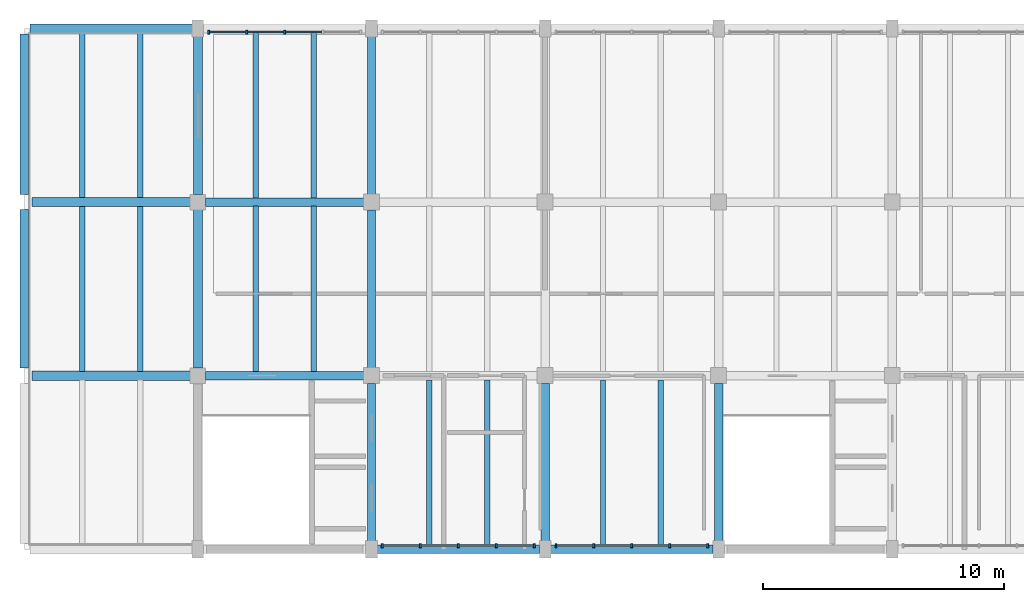
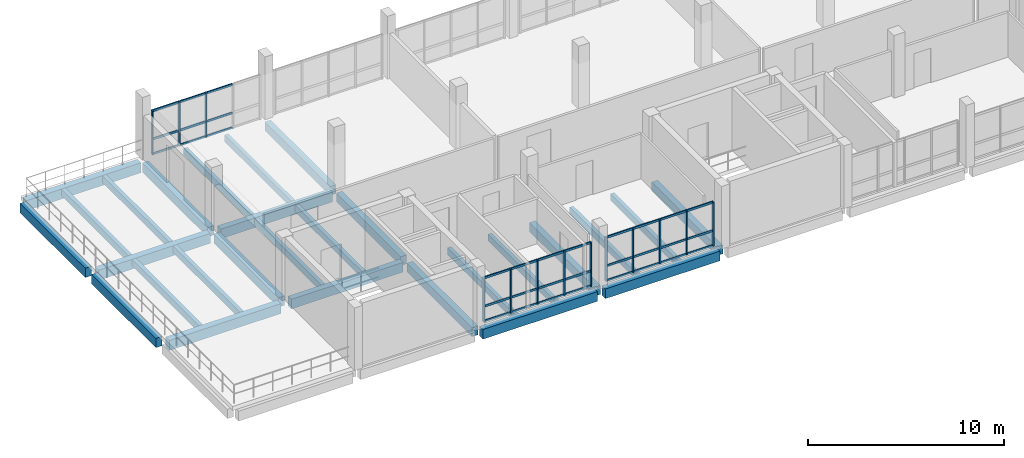
# One storey, part 2 of 10: 46 members, 28 beams, 3 elements without a shape of their own.
"""IFC4 building model written with IfcOpenShell, lengths in metres."""

from ifc_helpers import new_model, si_unit, direction, frame, origin, origin_2d, place, context, subcontext, project, spatial, rectangle, extrude, material, material_profile, profile_set, type_object, element, aggregate, save


model = new_model("IFC4")

# Units and contexts
model_context = context("Model", 3, precision=1e-05, world=origin(), true_north=direction((0.0, 1.0)))
body_context = subcontext(model_context, "Body", "Model", "MODEL_VIEW")
ifc_project = project(units=[si_unit("LENGTHUNIT", "METRE"), si_unit("AREAUNIT", "SQUARE_METRE"), si_unit("VOLUMEUNIT", "CUBIC_METRE"), si_unit("PLANEANGLEUNIT", "RADIAN"), si_unit("MASSUNIT", "GRAM", prefix="KILO")], contexts=[model_context])

# Site, building, storey
site_placement = place(None, origin())
site = spatial("IfcSite", under=ifc_project, at=site_placement, CompositionType="ELEMENT")
building_placement = place(site_placement, origin())
building = spatial("IfcBuilding", under=site, at=building_placement, Name="Qiaolan Assembly House", CompositionType="ELEMENT")
storey_placement = place(building_placement, frame((0.0, 0.0, 30.300048828125)))
storey = spatial("IfcBuildingStorey", under=building, at=storey_placement, Name="L07", CompositionType="ELEMENT", Elevation=30.300048828125)

# Beams
ifc_material_1 = material(Name="Concrete C40/50", Category="concrete")
ifc_material_profile_1 = material_profile(ifc_material_1, rectangle(XDim=0.35009765625, YDim=0.550048828125, at=origin_2d()), Name="RCB 350x550")
ifc_profile_set_1 = profile_set([ifc_material_profile_1], Name="Concrete C40/50")
beam_type_1 = type_object("IfcBeamType", Name="BM-RC-350x550", PredefinedType="BEAM", material=ifc_profile_set_1)
beam_1_placement = place(storey_placement, frame((50.39990234375, 93.830078125, -0.505126953125), z_axis=(0.0, 1.0, 0.0), x_axis=(-1.0, 0.0, 0.0)))
element("IfcBeam", 1, at=beam_1_placement, inside=storey, type_object=beam_type_1, Name="GB-09 beam BMY-NW-L07-01-00", PredefinedType="BEAM", context=body_context, shape_type="SweptSolid", body=[
    extrude(rectangle(XDim=0.35009765625, YDim=0.550048828125, at=origin_2d()), origin(), (0.0, 0.0, 1.0), 6.64990234375),
])
beam_2_placement = place(storey_placement, frame((50.39990234375, 101.1201171875, -0.505126953125), z_axis=(0.0, 1.0, 0.0), x_axis=(-1.0, 0.0, 0.0)))
element("IfcBeam", 2, at=beam_2_placement, inside=storey, type_object=beam_type_1, Name="GB-09 beam BMY-NW-L07-01-01", PredefinedType="BEAM", context=body_context, shape_type="SweptSolid", body=[
    extrude(rectangle(XDim=0.35009765625, YDim=0.550048828125, at=origin_2d()), origin(), (0.0, 0.0, 1.0), 6.559814453125),
])
for number, where, z_axis, x_axis, name in (
    (3, (50.39990234375, 108.320068359375, -0.505126953125), (0.0, 1.0, 0.0), (-1.0, 0.0, 0.0), "GB-09 beam BMY-NW-L07-01-02"),
    (4, (57.60009765625, 93.830078125, -0.505126953125), (0.0, 1.0, 0.0), (-1.0, 0.0, 0.0), "GB-09 beam BMY-NW-L07-02-00"),
    (5, (64.800048828125, 93.830078125, -0.505126953125), (0.0, 1.0, 0.0), (-1.0, 0.0, 0.0), "GB-09 beam BMY-NW-L07-03-00"),
):
    element("IfcBeam", number, at=place(storey_placement, frame(where, z_axis=z_axis, x_axis=x_axis)), inside=storey, type_object=beam_type_1, Name=name, PredefinedType="BEAM", context=body_context, shape_type="SweptSolid", body=[
        extrude(rectangle(XDim=0.35009765625, YDim=0.550048828125, at=origin_2d()), origin(), (0.0, 0.0, 1.0), 6.64990234375),
    ])
ifc_material_profile_2 = material_profile(ifc_material_1, rectangle(XDim=0.35009765625, YDim=0.60009765625, at=origin_2d()), Name="RCB 350x600")
ifc_profile_set_2 = profile_set([ifc_material_profile_2], Name="Concrete C40/50")
beam_type_2 = type_object("IfcBeamType", Name="BM-RC-350x600", PredefinedType="BEAM", material=ifc_profile_set_2)
beam_3_placement = place(storey_placement, frame((50.6298828125, 93.60009765625, -0.530029296875), z_axis=(1.0, 0.0, 0.0), x_axis=(0.0, 1.0, 0.0)))
element("IfcBeam", 6, at=beam_3_placement, inside=storey, type_object=beam_type_2, Name="GB-08 beam BMX-NW-L07-01-00", PredefinedType="BEAM", context=body_context, shape_type="SweptSolid", body=[
    extrude(rectangle(XDim=0.35009765625, YDim=0.60009765625, at=origin_2d()), origin(), (0.0, 0.0, 1.0), 6.740234375),
])
beam_4_placement = place(storey_placement, frame((57.830078125, 93.60009765625, -0.530029296875), z_axis=(1.0, 0.0, 0.0), x_axis=(0.0, 1.0, 0.0)))
element("IfcBeam", 7, at=beam_4_placement, inside=storey, type_object=beam_type_2, Name="GB-08 beam BMX-NW-L07-02-00", PredefinedType="BEAM", context=body_context, shape_type="SweptSolid", body=[
    extrude(rectangle(XDim=0.35009765625, YDim=0.60009765625, at=origin_2d()), origin(), (0.0, 0.0, 1.0), 6.739990234375),
])
for number, where, z_axis, x_axis, name in (
    (8, (43.514892578125, 100.800048828125, -0.530029296875), (1.0, 0.0, 0.0), (0.0, 1.0, 0.0), "GB-08 beam BMX-NW-L07-00-01"),
    (9, (43.514892578125, 108.0, -0.530029296875), (1.0, 0.0, 0.0), (0.0, 1.0, 0.0), "GB-08 beam BMX-NW-L07-00-02"),
):
    element("IfcBeam", number, at=place(storey_placement, frame(where, z_axis=z_axis, x_axis=x_axis)), inside=storey, type_object=beam_type_2, Name=name, PredefinedType="BEAM", context=body_context, shape_type="SweptSolid", body=[
        extrude(rectangle(XDim=0.35009765625, YDim=0.60009765625, at=origin_2d()), origin(), (0.0, 0.0, 1.0), 6.565185546875),
    ])
ifc_material_profile_3 = material_profile(ifc_material_1, rectangle(XDim=0.360107421875, YDim=0.580078125, at=origin_2d()), Name="RCB 360x580")
ifc_profile_set_3 = profile_set([ifc_material_profile_3], Name="Concrete C40/50")
beam_type_3 = type_object("IfcBeamType", Name="BM-RC-360x580", PredefinedType="BEAM", material=ifc_profile_set_3)
beam_5_placement = place(storey_placement, frame((36.0, 101.114990234375, -0.550048828125), z_axis=(0.0, 1.0, 0.0), x_axis=(-1.0, 0.0, 0.0)))
element("IfcBeam", 10, at=beam_5_placement, inside=storey, type_object=beam_type_3, Name="GB-16 beam BMY-NWTW-L07-00-01", PredefinedType="BEAM", context=body_context, shape_type="SweptSolid", body=[
    extrude(rectangle(XDim=0.360107421875, YDim=0.580078125, at=origin_2d()), origin(), (0.0, 0.0, 1.0), 6.570068359375),
])
beam_6_placement = place(storey_placement, frame((36.0, 108.31494140625, -0.550048828125), z_axis=(0.0, 1.0, 0.0), x_axis=(-1.0, 0.0, 0.0)))
element("IfcBeam", 11, at=beam_6_placement, inside=storey, type_object=beam_type_3, Name="GB-16 beam BMY-NWTW-L07-00-02", PredefinedType="BEAM", context=body_context, shape_type="SweptSolid", body=[
    extrude(rectangle(XDim=0.360107421875, YDim=0.580078125, at=origin_2d()), origin(), (0.0, 0.0, 1.0), 6.655029296875),
])
beam_7_placement = place(storey_placement, frame((43.199951171875, 101.114990234375, -0.550048828125), z_axis=(0.0, 1.0, 0.0), x_axis=(-1.0, 0.0, 0.0)))
element("IfcBeam", 12, at=beam_7_placement, inside=storey, type_object=beam_type_3, Name="GB-16 beam BMY-NWTW-L07-01-01", PredefinedType="BEAM", context=body_context, shape_type="SweptSolid", body=[
    extrude(rectangle(XDim=0.360107421875, YDim=0.580078125, at=origin_2d()), origin(), (0.0, 0.0, 1.0), 6.570068359375),
])
beam_8_placement = place(storey_placement, frame((43.199951171875, 108.31494140625, -0.550048828125), z_axis=(0.0, 1.0, 0.0), x_axis=(-1.0, 0.0, 0.0)))
element("IfcBeam", 13, at=beam_8_placement, inside=storey, type_object=beam_type_3, Name="GB-16 beam BMY-NWTW-L07-01-02", PredefinedType="BEAM", context=body_context, shape_type="SweptSolid", body=[
    extrude(rectangle(XDim=0.360107421875, YDim=0.580078125, at=origin_2d()), origin(), (0.0, 0.0, 1.0), 6.655029296875),
])
ifc_material_profile_4 = material_profile(ifc_material_1, rectangle(XDim=0.3798828125, YDim=0.6201171875, at=origin_2d()), Name="RCB 380x620")
ifc_profile_set_4 = profile_set([ifc_material_profile_4], Name="Concrete C40/50")
beam_type_4 = type_object("IfcBeamType", Name="BM-RC-380x620", PredefinedType="BEAM", material=ifc_profile_set_4)
for number, where, z_axis, x_axis, name in (
    (14, (36.31494140625, 100.800048828125, -0.570068359375), (1.0, 0.0, 0.0), (0.0, 1.0, 0.0), "GB-13 beam BMX-NWTW-L07-00-01"),
    (15, (36.31494140625, 108.0, -0.570068359375), (1.0, 0.0, 0.0), (0.0, 1.0, 0.0), "GB-13 beam BMX-NWTW-L07-00-02"),
):
    element("IfcBeam", number, at=place(storey_placement, frame(where, z_axis=z_axis, x_axis=x_axis)), inside=storey, type_object=beam_type_4, Name=name, PredefinedType="BEAM", context=body_context, shape_type="SweptSolid", body=[
        extrude(rectangle(XDim=0.3798828125, YDim=0.6201171875, at=origin_2d()), origin(), (0.0, 0.0, 1.0), 6.570068359375),
    ])
beam_9_placement = place(storey_placement, frame((36.22998046875, 115.199951171875, -0.570068359375), z_axis=(1.0, 0.0, 0.0), x_axis=(0.0, 1.0, 0.0)))
element("IfcBeam", 16, at=beam_9_placement, inside=storey, type_object=beam_type_4, Name="GB-13 beam BMX-NWTW-L07-00-03", PredefinedType="BEAM", context=body_context, shape_type="SweptSolid", body=[
    extrude(rectangle(XDim=0.3798828125, YDim=0.6201171875, at=origin_2d()), origin(), (0.0, 0.0, 1.0), 6.739990234375),
])

# Curtain wall, members
ifc_material_2 = material(Name="Anodised bronze aluminium", Category="aluminium")
curtain_wall_type = type_object("IfcCurtainWallType", Name="CW-ATTIC-390", PredefinedType="NOTDEFINED", material=ifc_material_2)
curtain_wall_1_placement = place(storey_placement, origin())
curtain_wall_1 = element("IfcCurtainWall", 17, at=curtain_wall_1_placement, inside=storey, type_object=curtain_wall_type, Name="CW-04 NW Attic North glazed colonnade bay 1", PredefinedType="NOTDEFINED")
ifc_material_profile_5 = material_profile(ifc_material_2, rectangle(XDim=0.073974609375, YDim=0.1650390625, at=origin_2d()), Name="MUL 74x165")
ifc_profile_set_5 = profile_set([ifc_material_profile_5], Name="Anodised bronze aluminium")
member_type_1 = type_object("IfcMemberType", Name="CW-ATTIC-390-MUL", PredefinedType="MULLION", material=ifc_profile_set_5)
member_1_placement = place(storey_placement, frame((46.800048828125, 115.050048828125, 0.0), z_axis=(0.0, 0.0, 1.0), x_axis=(-1.0, 0.0, 0.0)))
member_1 = element("IfcMember", 18, at=member_1_placement, type_object=member_type_1, Name="ML-05 mullion CW-NW-ATTIC-N-00-3", PredefinedType="MULLION", context=body_context, shape_type="SweptSolid", body=[
    extrude(rectangle(XDim=0.073974609375, YDim=0.1650390625, at=origin_2d()), origin(), (0.0, 0.0, 1.0), 2.739990234375),
])
member_2_placement = place(storey_placement, frame((45.22509765625, 115.050048828125, 0.0), z_axis=(0.0, 0.0, 1.0), x_axis=(-1.0, 0.0, 0.0)))
member_2 = element("IfcMember", 19, at=member_2_placement, type_object=member_type_1, Name="ML-05 mullion CW-NW-ATTIC-N-00-4", PredefinedType="MULLION", context=body_context, shape_type="SweptSolid", body=[
    extrude(rectangle(XDim=0.073974609375, YDim=0.1650390625, at=origin_2d()), origin(), (0.0, 0.0, 1.0), 2.739990234375),
])
member_3_placement = place(storey_placement, frame((43.64990234375, 115.050048828125, 0.0), z_axis=(0.0, 0.0, 1.0), x_axis=(-1.0, 0.0, 0.0)))
member_3 = element("IfcMember", 20, at=member_3_placement, type_object=member_type_1, Name="ML-05 mullion CW-NW-ATTIC-N-00-5", PredefinedType="MULLION", context=body_context, shape_type="SweptSolid", body=[
    extrude(rectangle(XDim=0.073974609375, YDim=0.1650390625, at=origin_2d()), origin(), (0.0, 0.0, 1.0), 2.739990234375),
])

curtain_wall_2_placement = place(storey_placement, origin())
curtain_wall_2 = element("IfcCurtainWall", 21, at=curtain_wall_2_placement, inside=storey, type_object=curtain_wall_type, Name="CW-04 NW Attic South glazed colonnade bay 2", PredefinedType="NOTDEFINED")
member_4_placement = place(storey_placement, frame((50.85009765625, 93.75, 0.0), z_axis=(0.0, 0.0, 1.0), x_axis=(1.0, 0.0, 0.0)))
member_4 = element("IfcMember", 22, at=member_4_placement, type_object=member_type_1, Name="ML-05 mullion CW-NW-ATTIC-S-01-1", PredefinedType="MULLION", context=body_context, shape_type="SweptSolid", body=[
    extrude(rectangle(XDim=0.073974609375, YDim=0.1650390625, at=origin_2d()), origin(), (0.0, 0.0, 1.0), 2.739990234375),
])
member_5_placement = place(storey_placement, frame((52.425048828125, 93.75, 0.0), z_axis=(0.0, 0.0, 1.0), x_axis=(1.0, 0.0, 0.0)))
member_5 = element("IfcMember", 23, at=member_5_placement, type_object=member_type_1, Name="ML-05 mullion CW-NW-ATTIC-S-01-2", PredefinedType="MULLION", context=body_context, shape_type="SweptSolid", body=[
    extrude(rectangle(XDim=0.073974609375, YDim=0.1650390625, at=origin_2d()), origin(), (0.0, 0.0, 1.0), 2.739990234375),
])
member_6_placement = place(storey_placement, frame((54.0, 93.75, 0.0), z_axis=(0.0, 0.0, 1.0), x_axis=(1.0, 0.0, 0.0)))
member_6 = element("IfcMember", 24, at=member_6_placement, type_object=member_type_1, Name="ML-05 mullion CW-NW-ATTIC-S-01-3", PredefinedType="MULLION", context=body_context, shape_type="SweptSolid", body=[
    extrude(rectangle(XDim=0.073974609375, YDim=0.1650390625, at=origin_2d()), origin(), (0.0, 0.0, 1.0), 2.739990234375),
])
member_7_placement = place(storey_placement, frame((55.574951171875, 93.75, 0.0), z_axis=(0.0, 0.0, 1.0), x_axis=(1.0, 0.0, 0.0)))
member_7 = element("IfcMember", 25, at=member_7_placement, type_object=member_type_1, Name="ML-05 mullion CW-NW-ATTIC-S-01-4", PredefinedType="MULLION", context=body_context, shape_type="SweptSolid", body=[
    extrude(rectangle(XDim=0.073974609375, YDim=0.1650390625, at=origin_2d()), origin(), (0.0, 0.0, 1.0), 2.739990234375),
])
member_8_placement = place(storey_placement, frame((57.14990234375, 93.75, 0.0), z_axis=(0.0, 0.0, 1.0), x_axis=(1.0, 0.0, 0.0)))
member_8 = element("IfcMember", 26, at=member_8_placement, type_object=member_type_1, Name="ML-05 mullion CW-NW-ATTIC-S-01-5", PredefinedType="MULLION", context=body_context, shape_type="SweptSolid", body=[
    extrude(rectangle(XDim=0.073974609375, YDim=0.1650390625, at=origin_2d()), origin(), (0.0, 0.0, 1.0), 2.739990234375),
])

curtain_wall_3_placement = place(storey_placement, origin())
curtain_wall_3 = element("IfcCurtainWall", 27, at=curtain_wall_3_placement, inside=storey, type_object=curtain_wall_type, Name="CW-04 NW Attic South glazed colonnade bay 3", PredefinedType="NOTDEFINED")
member_9_placement = place(storey_placement, frame((58.050048828125, 93.75, 0.0), z_axis=(0.0, 0.0, 1.0), x_axis=(1.0, 0.0, 0.0)))
member_9 = element("IfcMember", 28, at=member_9_placement, type_object=member_type_1, Name="ML-05 mullion CW-NW-ATTIC-S-02-1", PredefinedType="MULLION", context=body_context, shape_type="SweptSolid", body=[
    extrude(rectangle(XDim=0.073974609375, YDim=0.1650390625, at=origin_2d()), origin(), (0.0, 0.0, 1.0), 2.739990234375),
])
member_10_placement = place(storey_placement, frame((59.625, 93.75, 0.0), z_axis=(0.0, 0.0, 1.0), x_axis=(1.0, 0.0, 0.0)))
member_10 = element("IfcMember", 29, at=member_10_placement, type_object=member_type_1, Name="ML-05 mullion CW-NW-ATTIC-S-02-2", PredefinedType="MULLION", context=body_context, shape_type="SweptSolid", body=[
    extrude(rectangle(XDim=0.073974609375, YDim=0.1650390625, at=origin_2d()), origin(), (0.0, 0.0, 1.0), 2.739990234375),
])
member_11_placement = place(storey_placement, frame((61.199951171875, 93.75, 0.0), z_axis=(0.0, 0.0, 1.0), x_axis=(1.0, 0.0, 0.0)))
member_11 = element("IfcMember", 30, at=member_11_placement, type_object=member_type_1, Name="ML-05 mullion CW-NW-ATTIC-S-02-3", PredefinedType="MULLION", context=body_context, shape_type="SweptSolid", body=[
    extrude(rectangle(XDim=0.073974609375, YDim=0.1650390625, at=origin_2d()), origin(), (0.0, 0.0, 1.0), 2.739990234375),
])
member_12_placement = place(storey_placement, frame((62.77490234375, 93.75, 0.0), z_axis=(0.0, 0.0, 1.0), x_axis=(1.0, 0.0, 0.0)))
member_12 = element("IfcMember", 31, at=member_12_placement, type_object=member_type_1, Name="ML-05 mullion CW-NW-ATTIC-S-02-4", PredefinedType="MULLION", context=body_context, shape_type="SweptSolid", body=[
    extrude(rectangle(XDim=0.073974609375, YDim=0.1650390625, at=origin_2d()), origin(), (0.0, 0.0, 1.0), 2.739990234375),
])
member_13_placement = place(storey_placement, frame((64.35009765625, 93.75, 0.0), z_axis=(0.0, 0.0, 1.0), x_axis=(1.0, 0.0, 0.0)))
member_13 = element("IfcMember", 32, at=member_13_placement, type_object=member_type_1, Name="ML-05 mullion CW-NW-ATTIC-S-02-5", PredefinedType="MULLION", context=body_context, shape_type="SweptSolid", body=[
    extrude(rectangle(XDim=0.073974609375, YDim=0.1650390625, at=origin_2d()), origin(), (0.0, 0.0, 1.0), 2.739990234375),
])

# Member
ifc_material_profile_6 = material_profile(ifc_material_2, rectangle(XDim=0.06494140625, YDim=0.1298828125, at=origin_2d()), Name="TRN 65x130")
ifc_profile_set_6 = profile_set([ifc_material_profile_6], Name="Anodised bronze aluminium")
member_type_2 = type_object("IfcMemberType", Name="CW-ATTIC-390-TRN", PredefinedType="USERDEFINED", material=ifc_profile_set_6)
member_14_placement = place(storey_placement, frame((48.337890625, 115.050048828125, 0.030029296875), z_axis=(-1.0, 0.0, 0.0), x_axis=(0.0, -1.0, 0.0)))
member_14 = element("IfcMember", 33, at=member_14_placement, type_object=member_type_2, Name="TR-05 transom CW-NW-ATTIC-N-00-2-1", ObjectType="TRANSOM", PredefinedType="USERDEFINED", context=body_context, shape_type="SweptSolid", body=[
    extrude(rectangle(XDim=0.06494140625, YDim=0.1298828125, at=origin_2d()), origin(), (0.0, 0.0, 1.0), 1.5009765625),
])

member_15_placement = place(storey_placement, frame((48.337890625, 115.050048828125, 0.949951171875), z_axis=(-1.0, 0.0, 0.0), x_axis=(0.0, -1.0, 0.0)))
member_15 = element("IfcMember", 34, at=member_15_placement, type_object=member_type_2, Name="TR-05 transom CW-NW-ATTIC-N-00-2-2", ObjectType="TRANSOM", PredefinedType="USERDEFINED", context=body_context, shape_type="SweptSolid", body=[
    extrude(rectangle(XDim=0.06494140625, YDim=0.1298828125, at=origin_2d()), origin(), (0.0, 0.0, 1.0), 1.5009765625),
])

member_16_placement = place(storey_placement, frame((48.337890625, 115.050048828125, 2.7099609375), z_axis=(-1.0, 0.0, 0.0), x_axis=(0.0, -1.0, 0.0)))
member_16 = element("IfcMember", 35, at=member_16_placement, type_object=member_type_2, Name="TR-05 transom CW-NW-ATTIC-N-00-2-3", ObjectType="TRANSOM", PredefinedType="USERDEFINED", context=body_context, shape_type="SweptSolid", body=[
    extrude(rectangle(XDim=0.06494140625, YDim=0.1298828125, at=origin_2d()), origin(), (0.0, 0.0, 1.0), 1.5009765625),
])

member_17_placement = place(storey_placement, frame((46.762939453125, 115.050048828125, 0.030029296875), z_axis=(-1.0, 0.0, 0.0), x_axis=(0.0, -1.0, 0.0)))
member_17 = element("IfcMember", 36, at=member_17_placement, type_object=member_type_2, Name="TR-05 transom CW-NW-ATTIC-N-00-3-1", ObjectType="TRANSOM", PredefinedType="USERDEFINED", context=body_context, shape_type="SweptSolid", body=[
    extrude(rectangle(XDim=0.06494140625, YDim=0.1298828125, at=origin_2d()), origin(), (0.0, 0.0, 1.0), 1.5009765625),
])

member_18_placement = place(storey_placement, frame((46.762939453125, 115.050048828125, 0.949951171875), z_axis=(-1.0, 0.0, 0.0), x_axis=(0.0, -1.0, 0.0)))
member_18 = element("IfcMember", 37, at=member_18_placement, type_object=member_type_2, Name="TR-05 transom CW-NW-ATTIC-N-00-3-2", ObjectType="TRANSOM", PredefinedType="USERDEFINED", context=body_context, shape_type="SweptSolid", body=[
    extrude(rectangle(XDim=0.06494140625, YDim=0.1298828125, at=origin_2d()), origin(), (0.0, 0.0, 1.0), 1.5009765625),
])

member_19_placement = place(storey_placement, frame((46.762939453125, 115.050048828125, 2.7099609375), z_axis=(-1.0, 0.0, 0.0), x_axis=(0.0, -1.0, 0.0)))
member_19 = element("IfcMember", 38, at=member_19_placement, type_object=member_type_2, Name="TR-05 transom CW-NW-ATTIC-N-00-3-3", ObjectType="TRANSOM", PredefinedType="USERDEFINED", context=body_context, shape_type="SweptSolid", body=[
    extrude(rectangle(XDim=0.06494140625, YDim=0.1298828125, at=origin_2d()), origin(), (0.0, 0.0, 1.0), 1.5009765625),
])

member_20_placement = place(storey_placement, frame((45.18798828125, 115.050048828125, 0.030029296875), z_axis=(-1.0, 0.0, 0.0), x_axis=(0.0, -1.0, 0.0)))
member_20 = element("IfcMember", 39, at=member_20_placement, type_object=member_type_2, Name="TR-05 transom CW-NW-ATTIC-N-00-4-1", ObjectType="TRANSOM", PredefinedType="USERDEFINED", context=body_context, shape_type="SweptSolid", body=[
    extrude(rectangle(XDim=0.06494140625, YDim=0.1298828125, at=origin_2d()), origin(), (0.0, 0.0, 1.0), 1.5009765625),
])

member_21_placement = place(storey_placement, frame((45.18798828125, 115.050048828125, 0.949951171875), z_axis=(-1.0, 0.0, 0.0), x_axis=(0.0, -1.0, 0.0)))
member_21 = element("IfcMember", 40, at=member_21_placement, type_object=member_type_2, Name="TR-05 transom CW-NW-ATTIC-N-00-4-2", ObjectType="TRANSOM", PredefinedType="USERDEFINED", context=body_context, shape_type="SweptSolid", body=[
    extrude(rectangle(XDim=0.06494140625, YDim=0.1298828125, at=origin_2d()), origin(), (0.0, 0.0, 1.0), 1.5009765625),
])

member_22_placement = place(storey_placement, frame((45.18798828125, 115.050048828125, 2.7099609375), z_axis=(-1.0, 0.0, 0.0), x_axis=(0.0, -1.0, 0.0)))
member_22 = element("IfcMember", 41, at=member_22_placement, type_object=member_type_2, Name="TR-05 transom CW-NW-ATTIC-N-00-4-3", ObjectType="TRANSOM", PredefinedType="USERDEFINED", context=body_context, shape_type="SweptSolid", body=[
    extrude(rectangle(XDim=0.06494140625, YDim=0.1298828125, at=origin_2d()), origin(), (0.0, 0.0, 1.0), 1.5009765625),
])

aggregate(curtain_wall_1, [member_1, member_2, member_3, member_14, member_15, member_16, member_17, member_18, member_19, member_20, member_21, member_22])

member_23_placement = place(storey_placement, frame((50.886962890625, 93.75, 0.030029296875), z_axis=(1.0, 0.0, 0.0), x_axis=(0.0, 1.0, 0.0)))
member_23 = element("IfcMember", 42, at=member_23_placement, type_object=member_type_2, Name="TR-05 transom CW-NW-ATTIC-S-01-1-1", ObjectType="TRANSOM", PredefinedType="USERDEFINED", context=body_context, shape_type="SweptSolid", body=[
    extrude(rectangle(XDim=0.06494140625, YDim=0.1298828125, at=origin_2d()), origin(), (0.0, 0.0, 1.0), 1.5009765625),
])

member_24_placement = place(storey_placement, frame((50.886962890625, 93.75, 0.949951171875), z_axis=(1.0, 0.0, 0.0), x_axis=(0.0, 1.0, 0.0)))
member_24 = element("IfcMember", 43, at=member_24_placement, type_object=member_type_2, Name="TR-05 transom CW-NW-ATTIC-S-01-1-2", ObjectType="TRANSOM", PredefinedType="USERDEFINED", context=body_context, shape_type="SweptSolid", body=[
    extrude(rectangle(XDim=0.06494140625, YDim=0.1298828125, at=origin_2d()), origin(), (0.0, 0.0, 1.0), 1.5009765625),
])

member_25_placement = place(storey_placement, frame((50.886962890625, 93.75, 2.7099609375), z_axis=(1.0, 0.0, 0.0), x_axis=(0.0, 1.0, 0.0)))
member_25 = element("IfcMember", 44, at=member_25_placement, type_object=member_type_2, Name="TR-05 transom CW-NW-ATTIC-S-01-1-3", ObjectType="TRANSOM", PredefinedType="USERDEFINED", context=body_context, shape_type="SweptSolid", body=[
    extrude(rectangle(XDim=0.06494140625, YDim=0.1298828125, at=origin_2d()), origin(), (0.0, 0.0, 1.0), 1.5009765625),
])

member_26_placement = place(storey_placement, frame((52.4619140625, 93.75, 0.030029296875), z_axis=(1.0, 0.0, 0.0), x_axis=(0.0, 1.0, 0.0)))
member_26 = element("IfcMember", 45, at=member_26_placement, type_object=member_type_2, Name="TR-05 transom CW-NW-ATTIC-S-01-2-1", ObjectType="TRANSOM", PredefinedType="USERDEFINED", context=body_context, shape_type="SweptSolid", body=[
    extrude(rectangle(XDim=0.06494140625, YDim=0.1298828125, at=origin_2d()), origin(), (0.0, 0.0, 1.0), 1.5009765625),
])

member_27_placement = place(storey_placement, frame((52.4619140625, 93.75, 0.949951171875), z_axis=(1.0, 0.0, 0.0), x_axis=(0.0, 1.0, 0.0)))
member_27 = element("IfcMember", 46, at=member_27_placement, type_object=member_type_2, Name="TR-05 transom CW-NW-ATTIC-S-01-2-2", ObjectType="TRANSOM", PredefinedType="USERDEFINED", context=body_context, shape_type="SweptSolid", body=[
    extrude(rectangle(XDim=0.06494140625, YDim=0.1298828125, at=origin_2d()), origin(), (0.0, 0.0, 1.0), 1.5009765625),
])

member_28_placement = place(storey_placement, frame((52.4619140625, 93.75, 2.7099609375), z_axis=(1.0, 0.0, 0.0), x_axis=(0.0, 1.0, 0.0)))
member_28 = element("IfcMember", 47, at=member_28_placement, type_object=member_type_2, Name="TR-05 transom CW-NW-ATTIC-S-01-2-3", ObjectType="TRANSOM", PredefinedType="USERDEFINED", context=body_context, shape_type="SweptSolid", body=[
    extrude(rectangle(XDim=0.06494140625, YDim=0.1298828125, at=origin_2d()), origin(), (0.0, 0.0, 1.0), 1.5009765625),
])

member_29_placement = place(storey_placement, frame((54.037109375, 93.75, 0.030029296875), z_axis=(1.0, 0.0, 0.0), x_axis=(0.0, 1.0, 0.0)))
member_29 = element("IfcMember", 48, at=member_29_placement, type_object=member_type_2, Name="TR-05 transom CW-NW-ATTIC-S-01-3-1", ObjectType="TRANSOM", PredefinedType="USERDEFINED", context=body_context, shape_type="SweptSolid", body=[
    extrude(rectangle(XDim=0.06494140625, YDim=0.1298828125, at=origin_2d()), origin(), (0.0, 0.0, 1.0), 1.5009765625),
])

member_30_placement = place(storey_placement, frame((54.037109375, 93.75, 0.949951171875), z_axis=(1.0, 0.0, 0.0), x_axis=(0.0, 1.0, 0.0)))
member_30 = element("IfcMember", 49, at=member_30_placement, type_object=member_type_2, Name="TR-05 transom CW-NW-ATTIC-S-01-3-2", ObjectType="TRANSOM", PredefinedType="USERDEFINED", context=body_context, shape_type="SweptSolid", body=[
    extrude(rectangle(XDim=0.06494140625, YDim=0.1298828125, at=origin_2d()), origin(), (0.0, 0.0, 1.0), 1.5009765625),
])

member_31_placement = place(storey_placement, frame((54.037109375, 93.75, 2.7099609375), z_axis=(1.0, 0.0, 0.0), x_axis=(0.0, 1.0, 0.0)))
member_31 = element("IfcMember", 50, at=member_31_placement, type_object=member_type_2, Name="TR-05 transom CW-NW-ATTIC-S-01-3-3", ObjectType="TRANSOM", PredefinedType="USERDEFINED", context=body_context, shape_type="SweptSolid", body=[
    extrude(rectangle(XDim=0.06494140625, YDim=0.1298828125, at=origin_2d()), origin(), (0.0, 0.0, 1.0), 1.5009765625),
])

member_32_placement = place(storey_placement, frame((55.612060546875, 93.75, 0.030029296875), z_axis=(1.0, 0.0, 0.0), x_axis=(0.0, 1.0, 0.0)))
member_32 = element("IfcMember", 51, at=member_32_placement, type_object=member_type_2, Name="TR-05 transom CW-NW-ATTIC-S-01-4-1", ObjectType="TRANSOM", PredefinedType="USERDEFINED", context=body_context, shape_type="SweptSolid", body=[
    extrude(rectangle(XDim=0.06494140625, YDim=0.1298828125, at=origin_2d()), origin(), (0.0, 0.0, 1.0), 1.5009765625),
])

member_33_placement = place(storey_placement, frame((55.612060546875, 93.75, 0.949951171875), z_axis=(1.0, 0.0, 0.0), x_axis=(0.0, 1.0, 0.0)))
member_33 = element("IfcMember", 52, at=member_33_placement, type_object=member_type_2, Name="TR-05 transom CW-NW-ATTIC-S-01-4-2", ObjectType="TRANSOM", PredefinedType="USERDEFINED", context=body_context, shape_type="SweptSolid", body=[
    extrude(rectangle(XDim=0.06494140625, YDim=0.1298828125, at=origin_2d()), origin(), (0.0, 0.0, 1.0), 1.5009765625),
])

member_34_placement = place(storey_placement, frame((55.612060546875, 93.75, 2.7099609375), z_axis=(1.0, 0.0, 0.0), x_axis=(0.0, 1.0, 0.0)))
member_34 = element("IfcMember", 53, at=member_34_placement, type_object=member_type_2, Name="TR-05 transom CW-NW-ATTIC-S-01-4-3", ObjectType="TRANSOM", PredefinedType="USERDEFINED", context=body_context, shape_type="SweptSolid", body=[
    extrude(rectangle(XDim=0.06494140625, YDim=0.1298828125, at=origin_2d()), origin(), (0.0, 0.0, 1.0), 1.5009765625),
])

aggregate(curtain_wall_2, [member_4, member_5, member_6, member_7, member_8, member_23, member_24, member_25, member_26, member_27, member_28, member_29, member_30, member_31, member_32, member_33, member_34])

member_35_placement = place(storey_placement, frame((58.0869140625, 93.75, 0.030029296875), z_axis=(1.0, 0.0, 0.0), x_axis=(0.0, 1.0, 0.0)))
member_35 = element("IfcMember", 54, at=member_35_placement, type_object=member_type_2, Name="TR-05 transom CW-NW-ATTIC-S-02-1-1", ObjectType="TRANSOM", PredefinedType="USERDEFINED", context=body_context, shape_type="SweptSolid", body=[
    extrude(rectangle(XDim=0.06494140625, YDim=0.1298828125, at=origin_2d()), origin(), (0.0, 0.0, 1.0), 1.5009765625),
])

member_36_placement = place(storey_placement, frame((58.0869140625, 93.75, 0.949951171875), z_axis=(1.0, 0.0, 0.0), x_axis=(0.0, 1.0, 0.0)))
member_36 = element("IfcMember", 55, at=member_36_placement, type_object=member_type_2, Name="TR-05 transom CW-NW-ATTIC-S-02-1-2", ObjectType="TRANSOM", PredefinedType="USERDEFINED", context=body_context, shape_type="SweptSolid", body=[
    extrude(rectangle(XDim=0.06494140625, YDim=0.1298828125, at=origin_2d()), origin(), (0.0, 0.0, 1.0), 1.5009765625),
])

member_37_placement = place(storey_placement, frame((58.0869140625, 93.75, 2.7099609375), z_axis=(1.0, 0.0, 0.0), x_axis=(0.0, 1.0, 0.0)))
member_37 = element("IfcMember", 56, at=member_37_placement, type_object=member_type_2, Name="TR-05 transom CW-NW-ATTIC-S-02-1-3", ObjectType="TRANSOM", PredefinedType="USERDEFINED", context=body_context, shape_type="SweptSolid", body=[
    extrude(rectangle(XDim=0.06494140625, YDim=0.1298828125, at=origin_2d()), origin(), (0.0, 0.0, 1.0), 1.5009765625),
])

member_38_placement = place(storey_placement, frame((59.662109375, 93.75, 0.030029296875), z_axis=(1.0, 0.0, 0.0), x_axis=(0.0, 1.0, 0.0)))
member_38 = element("IfcMember", 57, at=member_38_placement, type_object=member_type_2, Name="TR-05 transom CW-NW-ATTIC-S-02-2-1", ObjectType="TRANSOM", PredefinedType="USERDEFINED", context=body_context, shape_type="SweptSolid", body=[
    extrude(rectangle(XDim=0.06494140625, YDim=0.1298828125, at=origin_2d()), origin(), (0.0, 0.0, 1.0), 1.5009765625),
])

member_39_placement = place(storey_placement, frame((59.662109375, 93.75, 0.949951171875), z_axis=(1.0, 0.0, 0.0), x_axis=(0.0, 1.0, 0.0)))
member_39 = element("IfcMember", 58, at=member_39_placement, type_object=member_type_2, Name="TR-05 transom CW-NW-ATTIC-S-02-2-2", ObjectType="TRANSOM", PredefinedType="USERDEFINED", context=body_context, shape_type="SweptSolid", body=[
    extrude(rectangle(XDim=0.06494140625, YDim=0.1298828125, at=origin_2d()), origin(), (0.0, 0.0, 1.0), 1.5009765625),
])

member_40_placement = place(storey_placement, frame((59.662109375, 93.75, 2.7099609375), z_axis=(1.0, 0.0, 0.0), x_axis=(0.0, 1.0, 0.0)))
member_40 = element("IfcMember", 59, at=member_40_placement, type_object=member_type_2, Name="TR-05 transom CW-NW-ATTIC-S-02-2-3", ObjectType="TRANSOM", PredefinedType="USERDEFINED", context=body_context, shape_type="SweptSolid", body=[
    extrude(rectangle(XDim=0.06494140625, YDim=0.1298828125, at=origin_2d()), origin(), (0.0, 0.0, 1.0), 1.5009765625),
])

member_41_placement = place(storey_placement, frame((61.237060546875, 93.75, 0.030029296875), z_axis=(1.0, 0.0, 0.0), x_axis=(0.0, 1.0, 0.0)))
member_41 = element("IfcMember", 60, at=member_41_placement, type_object=member_type_2, Name="TR-05 transom CW-NW-ATTIC-S-02-3-1", ObjectType="TRANSOM", PredefinedType="USERDEFINED", context=body_context, shape_type="SweptSolid", body=[
    extrude(rectangle(XDim=0.06494140625, YDim=0.1298828125, at=origin_2d()), origin(), (0.0, 0.0, 1.0), 1.5009765625),
])

member_42_placement = place(storey_placement, frame((61.237060546875, 93.75, 0.949951171875), z_axis=(1.0, 0.0, 0.0), x_axis=(0.0, 1.0, 0.0)))
member_42 = element("IfcMember", 61, at=member_42_placement, type_object=member_type_2, Name="TR-05 transom CW-NW-ATTIC-S-02-3-2", ObjectType="TRANSOM", PredefinedType="USERDEFINED", context=body_context, shape_type="SweptSolid", body=[
    extrude(rectangle(XDim=0.06494140625, YDim=0.1298828125, at=origin_2d()), origin(), (0.0, 0.0, 1.0), 1.5009765625),
])

member_43_placement = place(storey_placement, frame((61.237060546875, 93.75, 2.7099609375), z_axis=(1.0, 0.0, 0.0), x_axis=(0.0, 1.0, 0.0)))
member_43 = element("IfcMember", 62, at=member_43_placement, type_object=member_type_2, Name="TR-05 transom CW-NW-ATTIC-S-02-3-3", ObjectType="TRANSOM", PredefinedType="USERDEFINED", context=body_context, shape_type="SweptSolid", body=[
    extrude(rectangle(XDim=0.06494140625, YDim=0.1298828125, at=origin_2d()), origin(), (0.0, 0.0, 1.0), 1.5009765625),
])

member_44_placement = place(storey_placement, frame((62.81201171875, 93.75, 0.030029296875), z_axis=(1.0, 0.0, 0.0), x_axis=(0.0, 1.0, 0.0)))
member_44 = element("IfcMember", 63, at=member_44_placement, type_object=member_type_2, Name="TR-05 transom CW-NW-ATTIC-S-02-4-1", ObjectType="TRANSOM", PredefinedType="USERDEFINED", context=body_context, shape_type="SweptSolid", body=[
    extrude(rectangle(XDim=0.06494140625, YDim=0.1298828125, at=origin_2d()), origin(), (0.0, 0.0, 1.0), 1.5009765625),
])

member_45_placement = place(storey_placement, frame((62.81201171875, 93.75, 0.949951171875), z_axis=(1.0, 0.0, 0.0), x_axis=(0.0, 1.0, 0.0)))
member_45 = element("IfcMember", 64, at=member_45_placement, type_object=member_type_2, Name="TR-05 transom CW-NW-ATTIC-S-02-4-2", ObjectType="TRANSOM", PredefinedType="USERDEFINED", context=body_context, shape_type="SweptSolid", body=[
    extrude(rectangle(XDim=0.06494140625, YDim=0.1298828125, at=origin_2d()), origin(), (0.0, 0.0, 1.0), 1.5009765625),
])

member_46_placement = place(storey_placement, frame((62.81201171875, 93.75, 2.7099609375), z_axis=(1.0, 0.0, 0.0), x_axis=(0.0, 1.0, 0.0)))
member_46 = element("IfcMember", 65, at=member_46_placement, type_object=member_type_2, Name="TR-05 transom CW-NW-ATTIC-S-02-4-3", ObjectType="TRANSOM", PredefinedType="USERDEFINED", context=body_context, shape_type="SweptSolid", body=[
    extrude(rectangle(XDim=0.06494140625, YDim=0.1298828125, at=origin_2d()), origin(), (0.0, 0.0, 1.0), 1.5009765625),
])

aggregate(curtain_wall_3, [member_9, member_10, member_11, member_12, member_13, member_35, member_36, member_37, member_38, member_39, member_40, member_41, member_42, member_43, member_44, member_45, member_46])

# Beams
ifc_material_profile_7 = material_profile(ifc_material_1, rectangle(XDim=0.219970703125, YDim=0.419921875, at=origin_2d()), Name="RCB 220x420")
ifc_profile_set_7 = profile_set([ifc_material_profile_7], Name="Concrete C40/50")
beam_type_5 = type_object("IfcBeamType", Name="JST-RC-220x420", PredefinedType="JOIST", material=ifc_profile_set_7)
for number, where, z_axis, x_axis, name in (
    (66, (45.60009765625, 100.968994140625, -0.469970703125), (0.0, 1.0, 0.0), (-1.0, 0.0, 0.0), "RJ-03 beam JST-NW-L07-00-01-1"),
    (67, (48.0, 100.968994140625, -0.469970703125), (0.0, 1.0, 0.0), (-1.0, 0.0, 0.0), "RJ-03 beam JST-NW-L07-00-01-2"),
    (68, (45.60009765625, 108.1689453125, -0.469970703125), (0.0, 1.0, 0.0), (-1.0, 0.0, 0.0), "RJ-03 beam JST-NW-L07-00-02-1"),
    (69, (48.0, 108.1689453125, -0.469970703125), (0.0, 1.0, 0.0), (-1.0, 0.0, 0.0), "RJ-03 beam JST-NW-L07-00-02-2"),
    (70, (52.800048828125, 93.76904296875, -0.43994140625), (0.0, 1.0, 0.0), (-1.0, 0.0, 0.0), "RJ-03 beam JST-NW-L07-01-00-1"),
    (71, (55.199951171875, 93.76904296875, -0.43994140625), (0.0, 1.0, 0.0), (-1.0, 0.0, 0.0), "RJ-03 beam JST-NW-L07-01-00-2"),
    (72, (60.0, 93.76904296875, -0.43994140625), (0.0, 1.0, 0.0), (-1.0, 0.0, 0.0), "RJ-03 beam JST-NW-L07-02-00-1"),
    (73, (62.39990234375, 93.76904296875, -0.43994140625), (0.0, 1.0, 0.0), (-1.0, 0.0, 0.0), "RJ-03 beam JST-NW-L07-02-00-2"),
):
    element("IfcBeam", number, at=place(storey_placement, frame(where, z_axis=z_axis, x_axis=x_axis)), inside=storey, type_object=beam_type_5, Name=name, PredefinedType="JOIST", context=body_context, shape_type="SweptSolid", body=[
        extrude(rectangle(XDim=0.219970703125, YDim=0.419921875, at=origin_2d()), origin(), (0.0, 0.0, 1.0), 6.862060546875),
    ])
ifc_material_profile_8 = material_profile(ifc_material_1, rectangle(XDim=0.22509765625, YDim=0.425048828125, at=origin_2d()), Name="RCB 225x425")
ifc_profile_set_8 = profile_set([ifc_material_profile_8], Name="Concrete C40/50")
beam_type_6 = type_object("IfcBeamType", Name="JST-RC-225x425", PredefinedType="JOIST", material=ifc_profile_set_8)
for number, where, z_axis, x_axis, name in (
    (74, (38.39990234375, 100.98388671875, -0.47265625), (0.0, 1.0, 0.0), (-1.0, 0.0, 0.0), "RJ-06 beam JST-NWTW-L07-00-01-1"),
    (75, (40.800048828125, 100.98388671875, -0.47265625), (0.0, 1.0, 0.0), (-1.0, 0.0, 0.0), "RJ-06 beam JST-NWTW-L07-00-01-2"),
    (76, (38.39990234375, 108.18408203125, -0.47265625), (0.0, 1.0, 0.0), (-1.0, 0.0, 0.0), "RJ-06 beam JST-NWTW-L07-00-02-1"),
    (77, (40.800048828125, 108.18408203125, -0.47265625), (0.0, 1.0, 0.0), (-1.0, 0.0, 0.0), "RJ-06 beam JST-NWTW-L07-00-02-2"),
):
    element("IfcBeam", number, at=place(storey_placement, frame(where, z_axis=z_axis, x_axis=x_axis)), inside=storey, type_object=beam_type_6, Name=name, PredefinedType="JOIST", context=body_context, shape_type="SweptSolid", body=[
        extrude(rectangle(XDim=0.22509765625, YDim=0.425048828125, at=origin_2d()), origin(), (0.0, 0.0, 1.0), 6.83203125),
    ])

save(model, "model.ifc")
